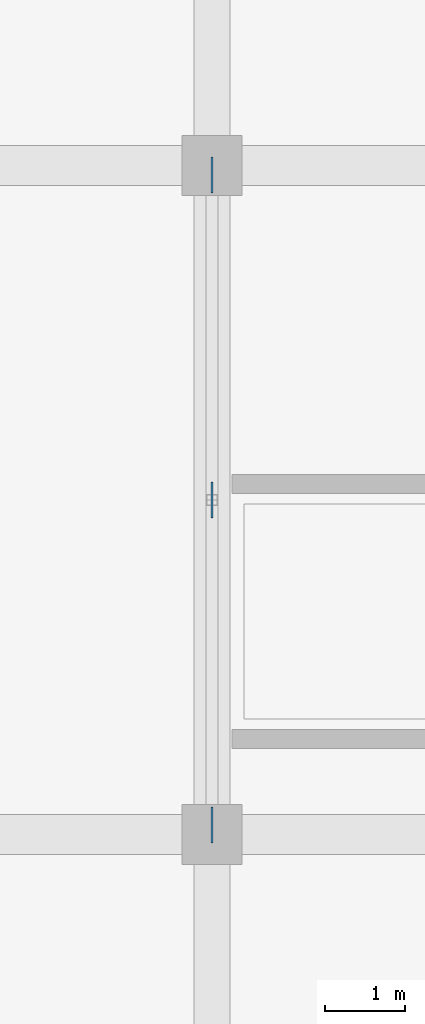
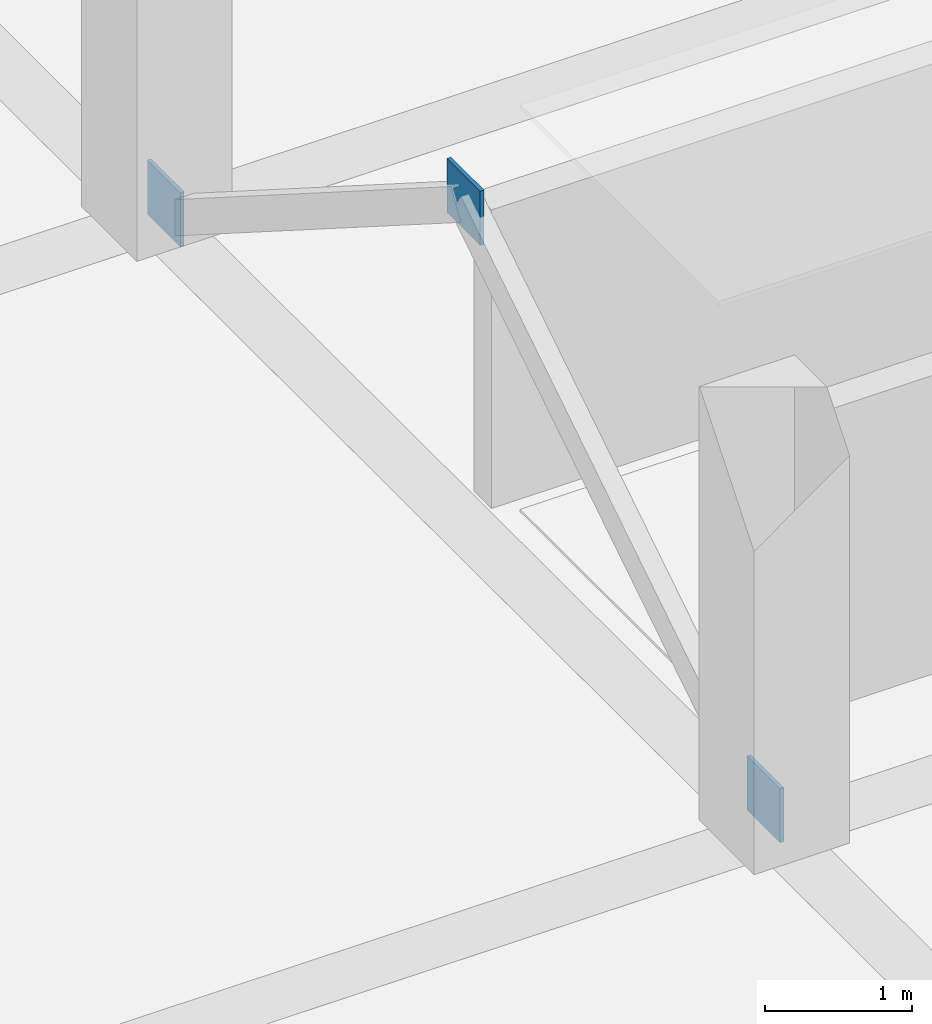
# One storey, part 112 of 147: 3 plates.
"""IFC4 building model written with IfcOpenShell, lengths in metres."""

from ifc_helpers import new_model, si_unit, direction, frame, origin, origin_2d, place, context, subcontext, project, spatial, rectangle, extrude, material, layer, layer_set, type_object, element, save


model = new_model("IFC4")

# Units and contexts
model_context = context("Model", 3, precision=1e-05, world=origin(), true_north=direction((0.0, 1.0)))
body_context = subcontext(model_context, "Body", "Model", "MODEL_VIEW")
ifc_project = project(units=[si_unit("LENGTHUNIT", "METRE"), si_unit("AREAUNIT", "SQUARE_METRE"), si_unit("VOLUMEUNIT", "CUBIC_METRE"), si_unit("PLANEANGLEUNIT", "RADIAN"), si_unit("MASSUNIT", "GRAM", prefix="KILO")], contexts=[model_context])

# Site, building, storey
site_placement = place(None, origin())
site = spatial("IfcSite", under=ifc_project, at=site_placement, CompositionType="ELEMENT")
building_placement = place(site_placement, origin())
building = spatial("IfcBuilding", under=site, at=building_placement, Name="Oolite Switchyard Hospital", CompositionType="ELEMENT")
storey_placement = place(building_placement, frame((0.0, 0.0, 9.89990234375)))
storey = spatial("IfcBuildingStorey", under=building, at=storey_placement, Name="L02", CompositionType="ELEMENT", Elevation=9.89990234375)

# Plates
ifc_material = material(Name="Steel ASTM A572 Grade 50", Category="steel")
ifc_layer = layer(ifc_material, 0.030029296875)
ifc_layer_set = layer_set([ifc_layer], Name="PLT-GUS-450")
plate_type = type_object("IfcPlateType", Name="PLT-GUS-450", PredefinedType="SHEET", material=ifc_layer_set)
for number, where, z_axis, x_axis, name in (
    (1, (9.60009765625, 100.919921875, -0.02490234375), (0.0, 0.0, 1.0), (0.0, 1.0, 0.0), "L02 Brace Base Gusset Plate 127"),
    (2, (9.60009765625, 109.080078125, -0.02490234375), (0.0, 0.0, 1.0), (0.0, 1.0, 0.0), "L02 Brace Base Gusset Plate 128"),
    (3, (9.60009765625, 105.0, 2.462890625), (0.0, 0.0, 1.0), (0.0, 1.0, 0.0), "L02 Gusset Connection Plate 129"),
):
    element("IfcPlate", number, at=place(storey_placement, frame(where, z_axis=z_axis, x_axis=x_axis)), inside=storey, type_object=plate_type, Name=name, PredefinedType="SHEET", context=body_context, shape_type="SweptSolid", body=[
        extrude(rectangle(XDim=0.449951171875, YDim=0.030029296875, at=origin_2d()), origin(), (0.0, 0.0, 1.0), 0.449951171875),
    ])

save(model, "model.ifc")
